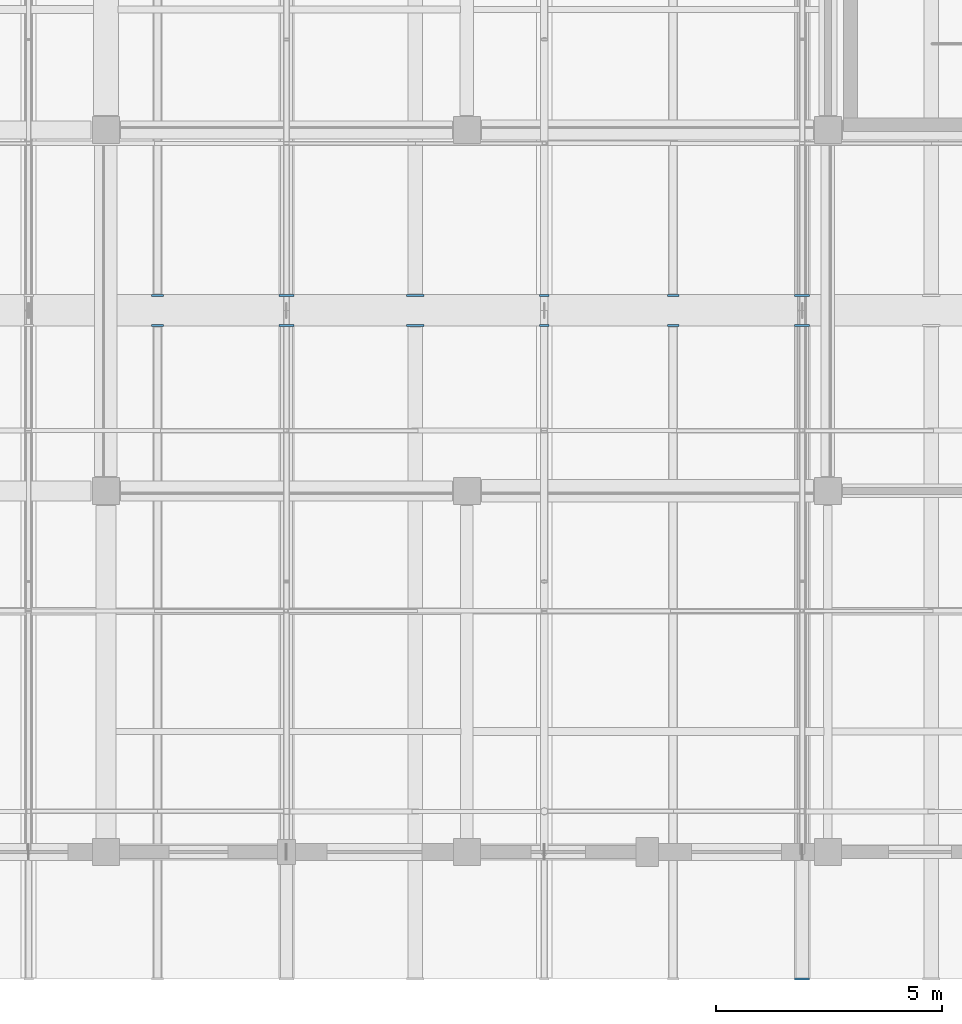
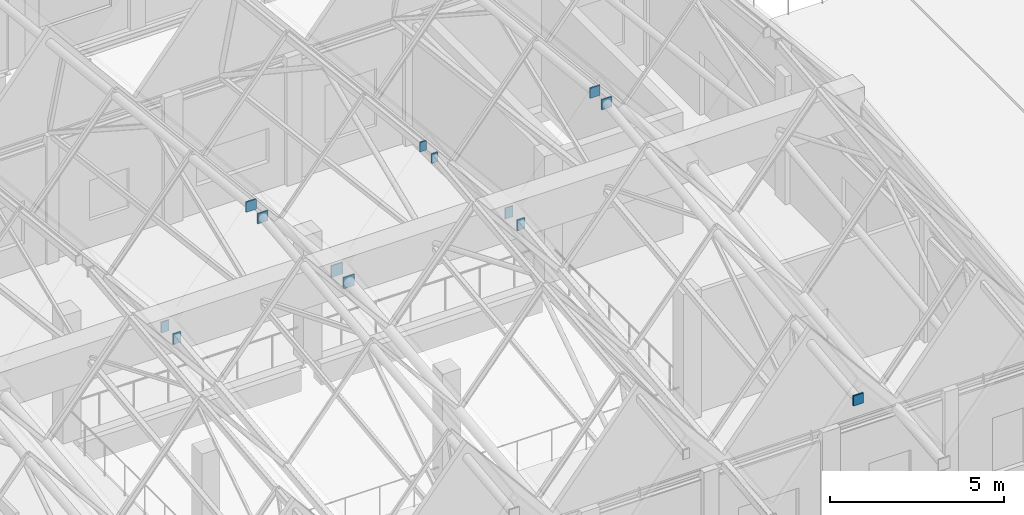
# One storey, part 54 of 77: 13 discrete accessories.
"""IFC4 building model written with IfcOpenShell, lengths in metres."""

from ifc_helpers import new_model, si_unit, direction, frame, origin, origin_2d, place, context, subcontext, project, spatial, rectangle, extrude, material, type_object, element, save


model = new_model("IFC4")

# Units and contexts
model_context = context("Model", 3, precision=1e-05, world=origin(), true_north=direction((0.0, 1.0)))
body_context = subcontext(model_context, "Body", "Model", "MODEL_VIEW")
ifc_project = project(units=[si_unit("LENGTHUNIT", "METRE"), si_unit("AREAUNIT", "SQUARE_METRE"), si_unit("VOLUMEUNIT", "CUBIC_METRE"), si_unit("PLANEANGLEUNIT", "RADIAN"), si_unit("MASSUNIT", "GRAM", prefix="KILO")], contexts=[model_context])

# Site, building, storey
site_placement = place(None, origin())
site = spatial("IfcSite", under=ifc_project, at=site_placement, CompositionType="ELEMENT")
building_placement = place(site_placement, origin())
building = spatial("IfcBuilding", under=site, at=building_placement, Name="Luwemba Playhouse", CompositionType="ELEMENT")
storey_placement = place(building_placement, frame((0.0, 0.0, 9.300048828125)))
storey = spatial("IfcBuildingStorey", under=building, at=storey_placement, Name="L02", CompositionType="ELEMENT", Elevation=9.300048828125)

# Discrete accessories
ifc_material = material(Name="Steel S355", Category="steel")
discrete_accessory_type = type_object("IfcDiscreteAccessoryType", Name="ACC-ENDCAP-S355", PredefinedType="BRACKET", material=ifc_material)
for number, where, z_axis, x_axis, name in (
    (1, (21.142822265625, 14.664794921875, 5.493896484375), (0.0, 0.0, 1.0), (1.0, 0.0, 0.0), "Welded RHS end cap plate 0342"),
    (2, (21.142822265625, 15.335205078125, 5.493896484375), (0.0, 0.0, 1.0), (1.0, 0.0, 0.0), "Welded RHS end cap plate 0343"),
):
    element("IfcDiscreteAccessory", number, at=place(storey_placement, frame(where, z_axis=z_axis, x_axis=x_axis)), inside=storey, type_object=discrete_accessory_type, Name=name, PredefinedType="BRACKET", context=body_context, shape_type="SweptSolid", body=[
        extrude(rectangle(XDim=0.260009765625, YDim=0.044921875, at=origin_2d()), origin(), (0.0, 0.0, 1.0), 0.3798828125),
    ])
for number, where, z_axis, x_axis, name in (
    (3, (24.0, 14.664794921875, 8.751220703125), (0.0, 0.0, 1.0), (1.0, 0.0, 0.0), "Welded RHS end cap plate 0346"),
    (4, (24.0, 15.335205078125, 8.751220703125), (0.0, 0.0, 1.0), (1.0, 0.0, 0.0), "Welded RHS end cap plate 0347"),
):
    element("IfcDiscreteAccessory", number, at=place(storey_placement, frame(where, z_axis=z_axis, x_axis=x_axis)), inside=storey, type_object=discrete_accessory_type, Name=name, PredefinedType="BRACKET", context=body_context, shape_type="SweptSolid", body=[
        extrude(rectangle(XDim=0.3330078125, YDim=0.044921875, at=origin_2d()), origin(), (0.0, 0.0, 1.0), 0.35302734375),
    ])
for number, where, z_axis, x_axis, name in (
    (5, (26.857177734375, 14.664794921875, 5.4697265625), (0.0, 0.0, 1.0), (1.0, 0.0, 0.0), "Welded RHS end cap plate 0350"),
    (6, (26.857177734375, 15.335205078125, 5.4697265625), (0.0, 0.0, 1.0), (1.0, 0.0, 0.0), "Welded RHS end cap plate 0351"),
):
    element("IfcDiscreteAccessory", number, at=place(storey_placement, frame(where, z_axis=z_axis, x_axis=x_axis)), inside=storey, type_object=discrete_accessory_type, Name=name, PredefinedType="BRACKET", context=body_context, shape_type="SweptSolid", body=[
        extrude(rectangle(XDim=0.384033203125, YDim=0.044921875, at=origin_2d()), origin(), (0.0, 0.0, 1.0), 0.404052734375),
    ])
for number, where, z_axis, x_axis, name in (
    (7, (29.71435546875, 14.664794921875, 8.8486328125), (0.0, 0.0, 1.0), (1.0, 0.0, 0.0), "Welded RHS end cap plate 0354"),
    (8, (29.71435546875, 15.335205078125, 8.8486328125), (0.0, 0.0, 1.0), (1.0, 0.0, 0.0), "Welded RHS end cap plate 0355"),
):
    element("IfcDiscreteAccessory", number, at=place(storey_placement, frame(where, z_axis=z_axis, x_axis=x_axis)), inside=storey, type_object=discrete_accessory_type, Name=name, PredefinedType="BRACKET", context=body_context, shape_type="SweptSolid", body=[
        extrude(rectangle(XDim=0.2099609375, YDim=0.044921875, at=origin_2d()), origin(), (0.0, 0.0, 1.0), 0.330078125),
    ])
for number, where, z_axis, x_axis, name in (
    (9, (32.5712890625, 14.664794921875, 5.493896484375), (0.0, 0.0, 1.0), (1.0, 0.0, 0.0), "Welded RHS end cap plate 0358"),
    (10, (32.5712890625, 15.335205078125, 5.493896484375), (0.0, 0.0, 1.0), (1.0, 0.0, 0.0), "Welded RHS end cap plate 0359"),
):
    element("IfcDiscreteAccessory", number, at=place(storey_placement, frame(where, z_axis=z_axis, x_axis=x_axis)), inside=storey, type_object=discrete_accessory_type, Name=name, PredefinedType="BRACKET", context=body_context, shape_type="SweptSolid", body=[
        extrude(rectangle(XDim=0.260009765625, YDim=0.044921875, at=origin_2d()), origin(), (0.0, 0.0, 1.0), 0.3798828125),
    ])
for number, where, z_axis, x_axis, name in (
    (11, (35.4287109375, 0.18505859375, 7.127197265625), (0.0, 0.0, 1.0), (1.0, 0.0, 0.0), "Welded RHS end cap plate 0361"),
    (12, (35.4287109375, 14.664794921875, 8.751220703125), (0.0, 0.0, 1.0), (1.0, 0.0, 0.0), "Welded RHS end cap plate 0362"),
    (13, (35.4287109375, 15.335205078125, 8.751220703125), (0.0, 0.0, 1.0), (1.0, 0.0, 0.0), "Welded RHS end cap plate 0363"),
):
    element("IfcDiscreteAccessory", number, at=place(storey_placement, frame(where, z_axis=z_axis, x_axis=x_axis)), inside=storey, type_object=discrete_accessory_type, Name=name, PredefinedType="BRACKET", context=body_context, shape_type="SweptSolid", body=[
        extrude(rectangle(XDim=0.3330078125, YDim=0.044921875, at=origin_2d()), origin(), (0.0, 0.0, 1.0), 0.35302734375),
    ])

save(model, "model.ifc")
